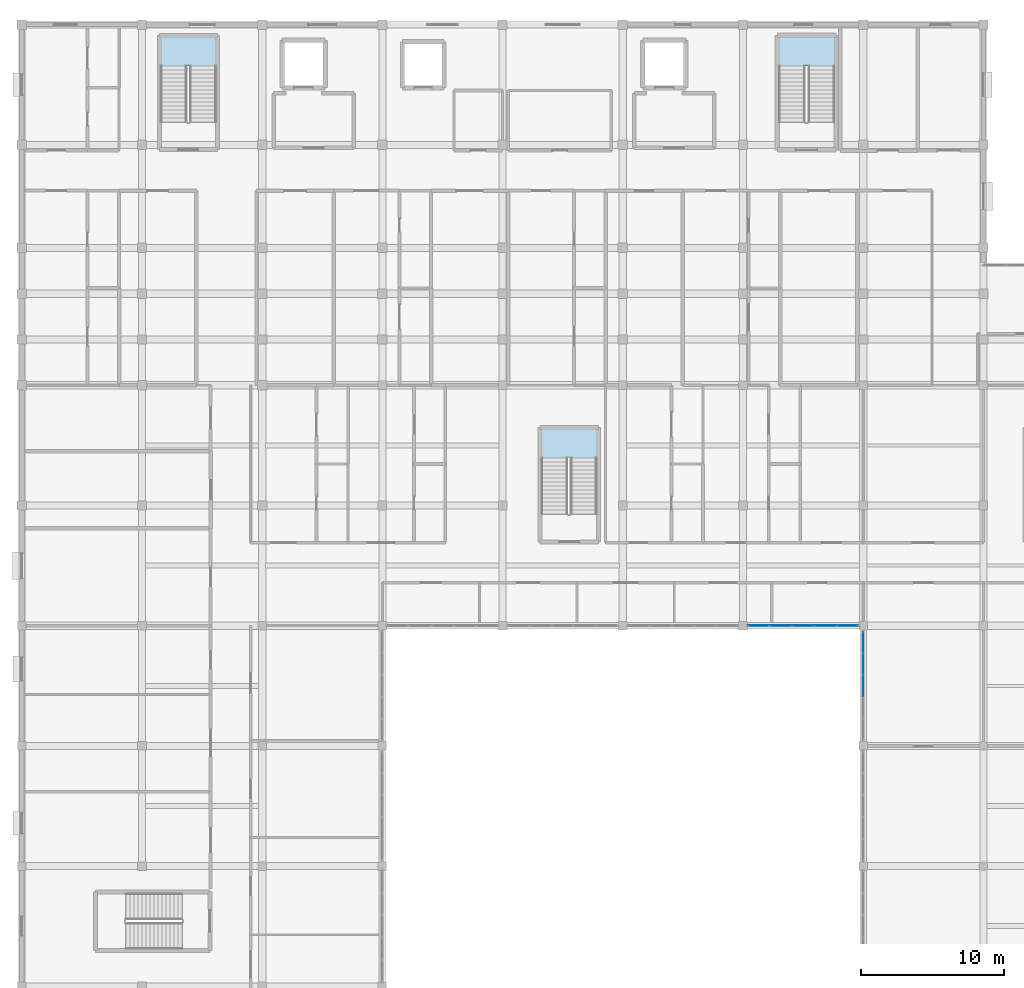
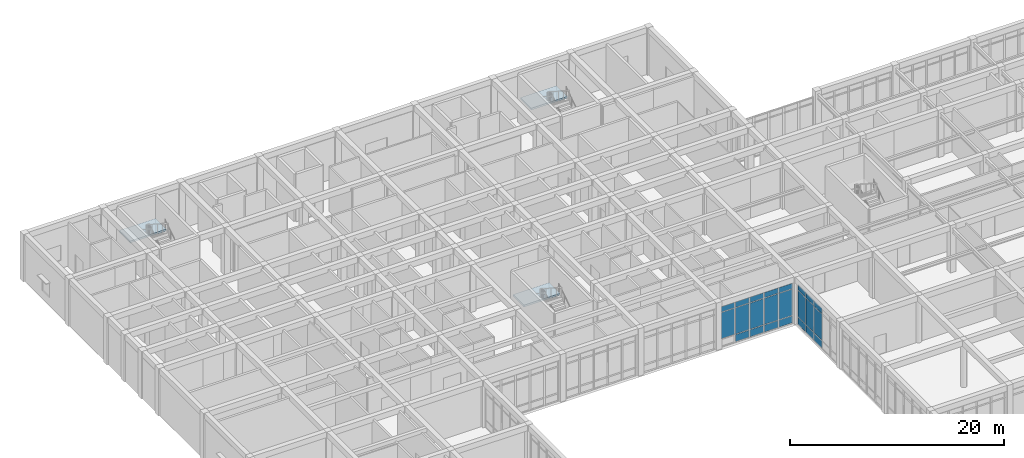
# One storey, part 44 of 89: 23 plates, 3 slabs, 5 elements without a shape of their own.
"""IFC4 building model written with IfcOpenShell, lengths in metres."""

from ifc_helpers import new_model, si_unit, direction, frame, origin, origin_2d, place, context, subcontext, project, spatial, polyline, rectangle, outline, extrude, material, layer, layer_set, type_object, element, aggregate, save


model = new_model("IFC4")

# Units and contexts
model_context = context("Model", 3, precision=1e-05, world=origin(), true_north=direction((0.0, 1.0)))
body_context = subcontext(model_context, "Body", "Model", "MODEL_VIEW")
ifc_project = project(units=[si_unit("LENGTHUNIT", "METRE"), si_unit("AREAUNIT", "SQUARE_METRE"), si_unit("VOLUMEUNIT", "CUBIC_METRE"), si_unit("PLANEANGLEUNIT", "RADIAN"), si_unit("MASSUNIT", "GRAM", prefix="KILO")], contexts=[model_context])

# Site, building, storey
site_placement = place(None, origin())
site = spatial("IfcSite", under=ifc_project, at=site_placement, CompositionType="ELEMENT")
building_placement = place(site_placement, origin())
building = spatial("IfcBuilding", under=site, at=building_placement, Name="Varncliffe General Hospital", CompositionType="ELEMENT")
storey_placement = place(building_placement, frame((0.0, 0.0, 10.800048828125)))
storey = spatial("IfcBuildingStorey", under=building, at=storey_placement, Name="L02", CompositionType="ELEMENT", Elevation=10.800048828125)

# Curtain wall, plates
ifc_material_1 = material(Name="Triple low-E argon insulated vision glazing", Category="glass")
curtain_wall_type_1 = type_object("IfcCurtainWallType", Name="Unitised Glazed Curtain Wall CW85 (7804x4640)", PredefinedType="USERDEFINED", material=ifc_material_1)
curtain_wall_1_placement = place(storey_placement, origin())
curtain_wall_1 = element("IfcCurtainWall", 1, at=curtain_wall_1_placement, inside=storey, type_object=curtain_wall_type_1, Name="L02 Glazed Curtain Wall CW85-144", ObjectType="GLAZED CURTAIN WALL", PredefinedType="USERDEFINED")
ifc_layer_1 = layer(ifc_material_1, 0.035888671875)
ifc_layer_set_1 = layer_set([ifc_layer_1], Name="Triple low-E argon insulated vision glazing")
plate_type_1 = type_object("IfcPlateType", Name="Curtain Wall Glazing Panel CP27 (36mm)", PredefinedType="CURTAIN_PANEL", material=ifc_layer_set_1)
plate_1_placement = place(storey_placement, frame((57.702880859375, 82.800048828125, 0.06494140625), z_axis=(0.0, 0.0, 1.0), x_axis=(-1.0, 0.0, 0.0)))
plate_1 = element("IfcPlate", 2, at=plate_1_placement, type_object=plate_type_1, Name="CW85 panel 1.1", PredefinedType="CURTAIN_PANEL", context=body_context, shape_type="SweptSolid", body=[
    extrude(rectangle(XDim=1.4482421875, YDim=0.035888671875, at=origin_2d()), origin(), (0.0, 0.0, 1.0), 0.802490234375),
])
plate_2_placement = place(storey_placement, frame((57.702880859375, 82.800048828125, 0.932373046875), z_axis=(0.0, 0.0, 1.0), x_axis=(-1.0, 0.0, 0.0)))
plate_2 = element("IfcPlate", 3, at=plate_2_placement, type_object=plate_type_1, Name="CW85 panel 1.2", PredefinedType="CURTAIN_PANEL", context=body_context, shape_type="SweptSolid", body=[
    extrude(rectangle(XDim=1.4482421875, YDim=0.035888671875, at=origin_2d()), origin(), (0.0, 0.0, 1.0), 2.97509765625),
])
plate_3_placement = place(storey_placement, frame((57.702880859375, 82.800048828125, 3.972412109375), z_axis=(0.0, 0.0, 1.0), x_axis=(-1.0, 0.0, 0.0)))
plate_3 = element("IfcPlate", 4, at=plate_3_placement, type_object=plate_type_1, Name="CW85 panel 1.3", PredefinedType="CURTAIN_PANEL", context=body_context, shape_type="SweptSolid", body=[
    extrude(rectangle(XDim=1.4482421875, YDim=0.035888671875, at=origin_2d()), origin(), (0.0, 0.0, 1.0), 0.6025390625),
])
plate_4_placement = place(storey_placement, frame((56.160888671875, 82.800048828125, 0.06494140625), z_axis=(0.0, 0.0, 1.0), x_axis=(-1.0, 0.0, 0.0)))
plate_4 = element("IfcPlate", 5, at=plate_4_placement, type_object=plate_type_1, Name="CW85 panel 2.1", PredefinedType="CURTAIN_PANEL", context=body_context, shape_type="SweptSolid", body=[
    extrude(rectangle(XDim=1.48583984375, YDim=0.035888671875, at=origin_2d()), origin(), (0.0, 0.0, 1.0), 0.802490234375),
])
plate_5_placement = place(storey_placement, frame((56.160888671875, 82.800048828125, 0.932373046875), z_axis=(0.0, 0.0, 1.0), x_axis=(-1.0, 0.0, 0.0)))
plate_5 = element("IfcPlate", 6, at=plate_5_placement, type_object=plate_type_1, Name="CW85 panel 2.2", PredefinedType="CURTAIN_PANEL", context=body_context, shape_type="SweptSolid", body=[
    extrude(rectangle(XDim=1.48583984375, YDim=0.035888671875, at=origin_2d()), origin(), (0.0, 0.0, 1.0), 2.97509765625),
])
plate_6_placement = place(storey_placement, frame((56.160888671875, 82.800048828125, 3.972412109375), z_axis=(0.0, 0.0, 1.0), x_axis=(-1.0, 0.0, 0.0)))
plate_6 = element("IfcPlate", 7, at=plate_6_placement, type_object=plate_type_1, Name="CW85 panel 2.3", PredefinedType="CURTAIN_PANEL", context=body_context, shape_type="SweptSolid", body=[
    extrude(rectangle(XDim=1.48583984375, YDim=0.035888671875, at=origin_2d()), origin(), (0.0, 0.0, 1.0), 0.6025390625),
])
plate_7_placement = place(storey_placement, frame((54.60009765625, 82.800048828125, 0.06494140625), z_axis=(0.0, 0.0, 1.0), x_axis=(-1.0, 0.0, 0.0)))
plate_7 = element("IfcPlate", 8, at=plate_7_placement, type_object=plate_type_1, Name="CW85 panel 3.1", PredefinedType="CURTAIN_PANEL", context=body_context, shape_type="SweptSolid", body=[
    extrude(rectangle(XDim=1.48583984375, YDim=0.035888671875, at=origin_2d()), origin(), (0.0, 0.0, 1.0), 0.802490234375),
])
plate_8_placement = place(storey_placement, frame((54.60009765625, 82.800048828125, 0.932373046875), z_axis=(0.0, 0.0, 1.0), x_axis=(-1.0, 0.0, 0.0)))
plate_8 = element("IfcPlate", 9, at=plate_8_placement, type_object=plate_type_1, Name="CW85 panel 3.2", PredefinedType="CURTAIN_PANEL", context=body_context, shape_type="SweptSolid", body=[
    extrude(rectangle(XDim=1.48583984375, YDim=0.035888671875, at=origin_2d()), origin(), (0.0, 0.0, 1.0), 2.97509765625),
])
plate_9_placement = place(storey_placement, frame((54.60009765625, 82.800048828125, 3.972412109375), z_axis=(0.0, 0.0, 1.0), x_axis=(-1.0, 0.0, 0.0)))
plate_9 = element("IfcPlate", 10, at=plate_9_placement, type_object=plate_type_1, Name="CW85 panel 3.3", PredefinedType="CURTAIN_PANEL", context=body_context, shape_type="SweptSolid", body=[
    extrude(rectangle(XDim=1.48583984375, YDim=0.035888671875, at=origin_2d()), origin(), (0.0, 0.0, 1.0), 0.6025390625),
])
plate_10_placement = place(storey_placement, frame((53.039306640625, 82.800048828125, 0.06494140625), z_axis=(0.0, 0.0, 1.0), x_axis=(-1.0, 0.0, 0.0)))
plate_10 = element("IfcPlate", 11, at=plate_10_placement, type_object=plate_type_1, Name="CW85 panel 4.1", PredefinedType="CURTAIN_PANEL", context=body_context, shape_type="SweptSolid", body=[
    extrude(rectangle(XDim=1.48583984375, YDim=0.035888671875, at=origin_2d()), origin(), (0.0, 0.0, 1.0), 0.802490234375),
])
plate_11_placement = place(storey_placement, frame((53.039306640625, 82.800048828125, 0.932373046875), z_axis=(0.0, 0.0, 1.0), x_axis=(-1.0, 0.0, 0.0)))
plate_11 = element("IfcPlate", 12, at=plate_11_placement, type_object=plate_type_1, Name="CW85 panel 4.2", PredefinedType="CURTAIN_PANEL", context=body_context, shape_type="SweptSolid", body=[
    extrude(rectangle(XDim=1.48583984375, YDim=0.035888671875, at=origin_2d()), origin(), (0.0, 0.0, 1.0), 2.97509765625),
])
plate_12_placement = place(storey_placement, frame((53.039306640625, 82.800048828125, 3.972412109375), z_axis=(0.0, 0.0, 1.0), x_axis=(-1.0, 0.0, 0.0)))
plate_12 = element("IfcPlate", 13, at=plate_12_placement, type_object=plate_type_1, Name="CW85 panel 4.3", PredefinedType="CURTAIN_PANEL", context=body_context, shape_type="SweptSolid", body=[
    extrude(rectangle(XDim=1.48583984375, YDim=0.035888671875, at=origin_2d()), origin(), (0.0, 0.0, 1.0), 0.6025390625),
])
plate_13_placement = place(storey_placement, frame((51.4970703125, 82.800048828125, 0.932373046875), z_axis=(0.0, 0.0, 1.0), x_axis=(-1.0, 0.0, 0.0)))
plate_13 = element("IfcPlate", 14, at=plate_13_placement, type_object=plate_type_1, Name="CW85 panel 5.2", PredefinedType="CURTAIN_PANEL", context=body_context, shape_type="SweptSolid", body=[
    extrude(rectangle(XDim=1.4482421875, YDim=0.035888671875, at=origin_2d()), origin(), (0.0, 0.0, 1.0), 2.97509765625),
])
plate_14_placement = place(storey_placement, frame((51.4970703125, 82.800048828125, 3.972412109375), z_axis=(0.0, 0.0, 1.0), x_axis=(-1.0, 0.0, 0.0)))
plate_14 = element("IfcPlate", 15, at=plate_14_placement, type_object=plate_type_1, Name="CW85 panel 5.3", PredefinedType="CURTAIN_PANEL", context=body_context, shape_type="SweptSolid", body=[
    extrude(rectangle(XDim=1.4482421875, YDim=0.035888671875, at=origin_2d()), origin(), (0.0, 0.0, 1.0), 0.6025390625),
])
aggregate(curtain_wall_1, [plate_1, plate_2, plate_3, plate_4, plate_5, plate_6, plate_7, plate_8, plate_9, plate_10, plate_11, plate_12, plate_13, plate_14])

curtain_wall_type_2 = type_object("IfcCurtainWallType", Name="Unitised Glazed Curtain Wall CW27 (7644x4640)", PredefinedType="USERDEFINED", material=ifc_material_1)
curtain_wall_2_placement = place(storey_placement, origin())
curtain_wall_2 = element("IfcCurtainWall", 16, at=curtain_wall_2_placement, inside=storey, type_object=curtain_wall_type_2, Name="L02 Glazed Curtain Wall CW27-143", ObjectType="GLAZED CURTAIN WALL", PredefinedType="USERDEFINED")
ifc_layer_2 = layer(ifc_material_1, 0.028076171875)
ifc_layer_set_2 = layer_set([ifc_layer_2], Name="Triple low-E argon insulated vision glazing")
plate_type_2 = type_object("IfcPlateType", Name="Curtain Wall Glazing Panel CP48 (28mm)", PredefinedType="CURTAIN_PANEL", material=ifc_layer_set_2)
plate_15_placement = place(storey_placement, frame((58.800048828125, 78.60009765625, 0.059814453125), z_axis=(0.0, 0.0, 1.0), x_axis=(0.0, 1.0, 0.0)))
plate_15 = element("IfcPlate", 17, at=plate_15_placement, type_object=plate_type_2, Name="CW27 panel 3.1", PredefinedType="CURTAIN_PANEL", context=body_context, shape_type="SweptSolid", body=[
    extrude(rectangle(XDim=1.4638671875, YDim=0.028076171875, at=origin_2d()), origin(), (0.0, 0.0, 1.0), 0.81005859375),
])
plate_16_placement = place(storey_placement, frame((58.800048828125, 78.60009765625, 0.929931640625), z_axis=(0.0, 0.0, 1.0), x_axis=(0.0, 1.0, 0.0)))
plate_16 = element("IfcPlate", 18, at=plate_16_placement, type_object=plate_type_2, Name="CW27 panel 3.2", PredefinedType="CURTAIN_PANEL", context=body_context, shape_type="SweptSolid", body=[
    extrude(rectangle(XDim=1.4638671875, YDim=0.028076171875, at=origin_2d()), origin(), (0.0, 0.0, 1.0), 2.97998046875),
])
plate_17_placement = place(storey_placement, frame((58.800048828125, 78.60009765625, 3.9697265625), z_axis=(0.0, 0.0, 1.0), x_axis=(0.0, 1.0, 0.0)))
plate_17 = element("IfcPlate", 19, at=plate_17_placement, type_object=plate_type_2, Name="CW27 panel 3.3", PredefinedType="CURTAIN_PANEL", context=body_context, shape_type="SweptSolid", body=[
    extrude(rectangle(XDim=1.4638671875, YDim=0.028076171875, at=origin_2d()), origin(), (0.0, 0.0, 1.0), 0.610107421875),
])
plate_18_placement = place(storey_placement, frame((58.800048828125, 80.12890625, 0.059814453125), z_axis=(0.0, 0.0, 1.0), x_axis=(0.0, 1.0, 0.0)))
plate_18 = element("IfcPlate", 20, at=plate_18_placement, type_object=plate_type_2, Name="CW27 panel 4.1", PredefinedType="CURTAIN_PANEL", context=body_context, shape_type="SweptSolid", body=[
    extrude(rectangle(XDim=1.4638671875, YDim=0.028076171875, at=origin_2d()), origin(), (0.0, 0.0, 1.0), 0.81005859375),
])
plate_19_placement = place(storey_placement, frame((58.800048828125, 80.12890625, 0.929931640625), z_axis=(0.0, 0.0, 1.0), x_axis=(0.0, 1.0, 0.0)))
plate_19 = element("IfcPlate", 21, at=plate_19_placement, type_object=plate_type_2, Name="CW27 panel 4.2", PredefinedType="CURTAIN_PANEL", context=body_context, shape_type="SweptSolid", body=[
    extrude(rectangle(XDim=1.4638671875, YDim=0.028076171875, at=origin_2d()), origin(), (0.0, 0.0, 1.0), 2.97998046875),
])
plate_20_placement = place(storey_placement, frame((58.800048828125, 80.12890625, 3.9697265625), z_axis=(0.0, 0.0, 1.0), x_axis=(0.0, 1.0, 0.0)))
plate_20 = element("IfcPlate", 22, at=plate_20_placement, type_object=plate_type_2, Name="CW27 panel 4.3", PredefinedType="CURTAIN_PANEL", context=body_context, shape_type="SweptSolid", body=[
    extrude(rectangle(XDim=1.4638671875, YDim=0.028076171875, at=origin_2d()), origin(), (0.0, 0.0, 1.0), 0.610107421875),
])
plate_21_placement = place(storey_placement, frame((58.800048828125, 81.641357421875, 0.059814453125), z_axis=(0.0, 0.0, 1.0), x_axis=(0.0, 1.0, 0.0)))
plate_21 = element("IfcPlate", 23, at=plate_21_placement, type_object=plate_type_2, Name="CW27 panel 5.1", PredefinedType="CURTAIN_PANEL", context=body_context, shape_type="SweptSolid", body=[
    extrude(rectangle(XDim=1.431396484375, YDim=0.028076171875, at=origin_2d()), origin(), (0.0, 0.0, 1.0), 0.81005859375),
])
plate_22_placement = place(storey_placement, frame((58.800048828125, 81.641357421875, 0.929931640625), z_axis=(0.0, 0.0, 1.0), x_axis=(0.0, 1.0, 0.0)))
plate_22 = element("IfcPlate", 24, at=plate_22_placement, type_object=plate_type_2, Name="CW27 panel 5.2", PredefinedType="CURTAIN_PANEL", context=body_context, shape_type="SweptSolid", body=[
    extrude(rectangle(XDim=1.431396484375, YDim=0.028076171875, at=origin_2d()), origin(), (0.0, 0.0, 1.0), 2.97998046875),
])
plate_23_placement = place(storey_placement, frame((58.800048828125, 81.641357421875, 3.9697265625), z_axis=(0.0, 0.0, 1.0), x_axis=(0.0, 1.0, 0.0)))
plate_23 = element("IfcPlate", 25, at=plate_23_placement, type_object=plate_type_2, Name="CW27 panel 5.3", PredefinedType="CURTAIN_PANEL", context=body_context, shape_type="SweptSolid", body=[
    extrude(rectangle(XDim=1.431396484375, YDim=0.028076171875, at=origin_2d()), origin(), (0.0, 0.0, 1.0), 0.610107421875),
])
aggregate(curtain_wall_2, [plate_15, plate_16, plate_17, plate_18, plate_19, plate_20, plate_21, plate_22, plate_23])

# Stair, slab
ifc_material_2 = material(Name="Concrete C35/45 (CSA A23.1 35 MPa)", Category="concrete")
stair_type = type_object("IfcStairType", Name="Hospital Stair Assembly ST-T02 (1850w-5400h)", PredefinedType="TWO_STRAIGHT_RUN_STAIR", material=ifc_material_2)
stair_1_placement = place(storey_placement, origin())
stair_1 = element("IfcStair", 26, at=stair_1_placement, inside=storey, type_object=stair_type, Name="L02 North-West Ward Exit Stair 1", PredefinedType="TWO_STRAIGHT_RUN_STAIR")
ifc_layer_3 = layer(ifc_material_2, 0.199951171875)
ifc_layer_set_3 = layer_set([ifc_layer_3], Name="Concrete C35/45 (CSA A23.1 35 MPa)")
slab_type = type_object("IfcSlabType", Name="Reinforced Concrete Stair Landing LND50 (200mm)", PredefinedType="LANDING", material=ifc_layer_set_3)
slab_1_placement = place(storey_placement, frame((0.0, 0.0, 2.5)))
slab_1 = element("IfcSlab", 27, at=slab_1_placement, type_object=slab_type, Name="ST01 landing 1", PredefinedType="LANDING", context=body_context, shape_type="SweptSolid", body=[
    extrude(outline(polyline([(13.60009765625, 121.919921875), (13.60009765625, 123.949951171875), (9.699951171875, 123.949951171875), (9.699951171875, 121.919921875), (13.60009765625, 121.919921875)])), origin(), (0.0, 0.0, 1.0), 0.199951171875),
])
aggregate(stair_1, [slab_1])

stair_2_placement = place(storey_placement, origin())
stair_2 = element("IfcStair", 28, at=stair_2_placement, inside=storey, type_object=stair_type, Name="L02 North-West Ward Exit Stair 2", PredefinedType="TWO_STRAIGHT_RUN_STAIR")
slab_2_placement = place(storey_placement, frame((0.0, 0.0, 2.5)))
slab_2 = element("IfcSlab", 29, at=slab_2_placement, type_object=slab_type, Name="ST02 landing 1", PredefinedType="LANDING", context=body_context, shape_type="SweptSolid", body=[
    extrude(outline(polyline([(56.800048828125, 121.919921875), (56.800048828125, 123.949951171875), (52.89990234375, 123.949951171875), (52.89990234375, 121.919921875), (56.800048828125, 121.919921875)])), origin(), (0.0, 0.0, 1.0), 0.199951171875),
])
aggregate(stair_2, [slab_2])

stair_3_placement = place(storey_placement, origin())
stair_3 = element("IfcStair", 30, at=stair_3_placement, inside=storey, type_object=stair_type, Name="L02 West-Central Clinical Exit Stair 13", PredefinedType="TWO_STRAIGHT_RUN_STAIR")
slab_3_placement = place(storey_placement, frame((0.0, 0.0, 2.5)))
slab_3 = element("IfcSlab", 31, at=slab_3_placement, type_object=slab_type, Name="ST13 landing 1", PredefinedType="LANDING", context=body_context, shape_type="SweptSolid", body=[
    extrude(outline(polyline([(40.199951171875, 94.52001953125), (40.199951171875, 96.550048828125), (36.300048828125, 96.550048828125), (36.300048828125, 94.52001953125), (40.199951171875, 94.52001953125)])), origin(), (0.0, 0.0, 1.0), 0.199951171875),
])
aggregate(stair_3, [slab_3])

save(model, "model.ifc")
